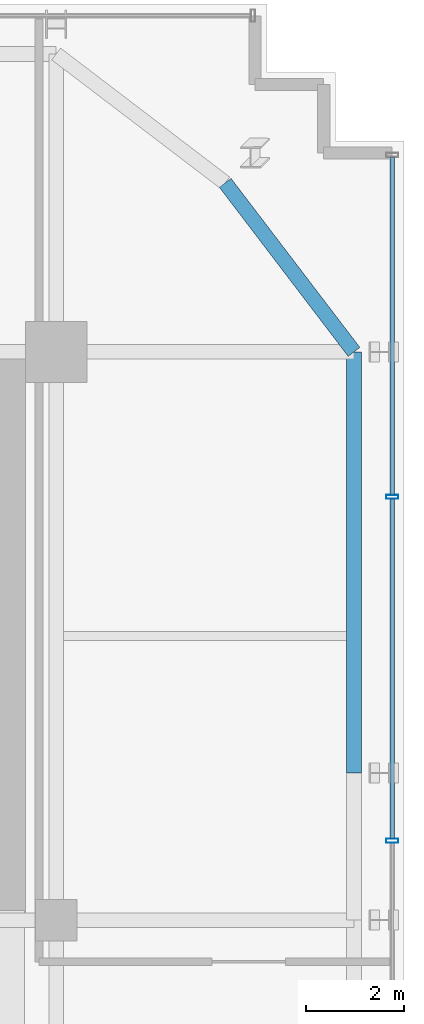
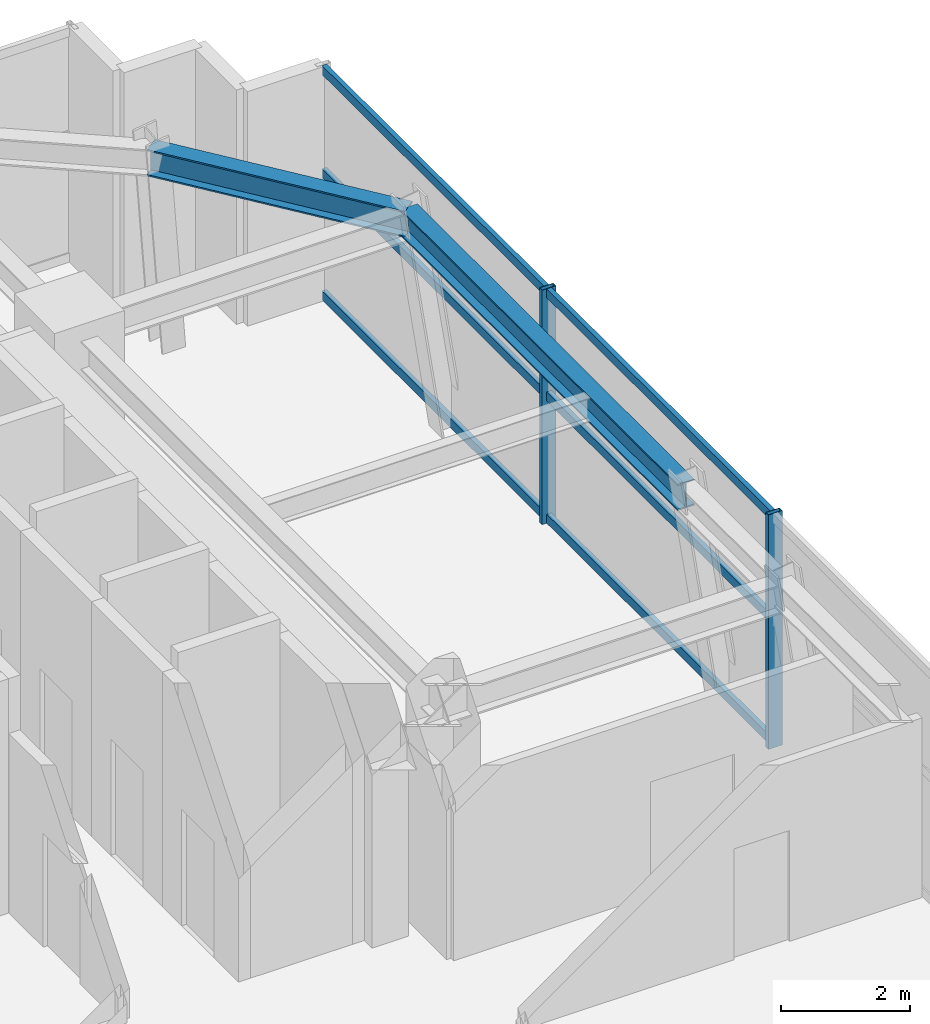
# One storey, part 17 of 26: 8 members, 2 beams, 1 element without a shape of its own.
"""IFC4 building model written with IfcOpenShell, lengths in metres."""

from ifc_helpers import new_model, si_unit, direction, frame, origin, origin_2d, place, context, subcontext, project, spatial, hollow_rectangle, i_section, extrude, source, transform, mapped, material, material_profile, profile_set, type_object, element, aggregate, save


model = new_model("IFC4")

# Units and contexts
model_context = context("Model", 3, precision=1e-05, world=origin(), true_north=direction((0.0, 1.0)))
body_context = subcontext(model_context, "Body", "Model", "MODEL_VIEW")
ifc_project = project(units=[si_unit("LENGTHUNIT", "METRE"), si_unit("AREAUNIT", "SQUARE_METRE"), si_unit("VOLUMEUNIT", "CUBIC_METRE"), si_unit("PLANEANGLEUNIT", "RADIAN"), si_unit("MASSUNIT", "GRAM", prefix="KILO")], contexts=[model_context])

# Site, building, storey
site_placement = place(None, origin())
site = spatial("IfcSite", under=ifc_project, at=site_placement, CompositionType="ELEMENT")
building_placement = place(site_placement, origin())
building = spatial("IfcBuilding", under=site, at=building_placement, Name="Nahalor Promenade Grand Hotel", CompositionType="ELEMENT")
storey_placement = place(building_placement, frame((0.0, 0.0, 139.39990234375)))
storey = spatial("IfcBuildingStorey", under=building, at=storey_placement, Name="L35", CompositionType="ELEMENT", Elevation=139.39990234375)

# Beams
ifc_material_1 = material(Name="Steel S355JR", Category="steel")
ifc_material_profile_1 = material_profile(ifc_material_1, i_section(OverallWidth=0.3, OverallDepth=0.5, WebThickness=0.0145, FlangeThickness=0.028, at=origin_2d()), Name="HEB 500")
ifc_profile_set_1 = profile_set([ifc_material_profile_1], Name="Steel S355JR")
beam_type = type_object("IfcBeamType", Name="Beam-Spandrel-HEB500", PredefinedType="SPANDREL", material=ifc_profile_set_1)
shared_shape_1 = source(origin(), body_context, "Body", "SweptSolid", [
    extrude(i_section(OverallWidth=0.3, OverallDepth=0.5, WebThickness=0.0145, FlangeThickness=0.028, at=origin_2d()), origin(), (0.0, 0.0, 1.0), 8.60009765625),
])
beam_1_placement = place(storey_placement, frame((23.080078125, 8.39990234375, 4.190185546875), z_axis=(0.0, 1.0, 0.0), x_axis=(-1.0, 0.0, 0.0)))
element("IfcBeam", 1, at=beam_1_placement, inside=storey, type_object=beam_type, Name="BM-L35-SP-E-4", PredefinedType="SPANDREL", context=body_context, shape_type="MappedRepresentation", body=[
    mapped(shared_shape_1, transform((0.0, 0.0, 0.0), scale=1.0)),
])
shared_shape_2 = source(origin(), body_context, "Body", "SweptSolid", [
    extrude(i_section(OverallWidth=0.3, OverallDepth=0.5, WebThickness=0.0145, FlangeThickness=0.028, at=origin_2d()), origin(), (0.0, 0.0, 1.0), 4.338134765625),
])
beam_2_placement = place(storey_placement, frame((20.449951171875, 20.449951171875, 4.190185546875), z_axis=(0.606275484724, -0.795254699214, 0.0), x_axis=(0.795254699214, 0.606275484724, 0.0)))
element("IfcBeam", 2, at=beam_2_placement, inside=storey, type_object=beam_type, Name="BM-L35-SPC-NE-2", PredefinedType="SPANDREL", context=body_context, shape_type="MappedRepresentation", body=[
    mapped(shared_shape_2, transform((0.0, 0.0, 0.0), scale=1.0)),
])

# Curtain wall, members
ifc_material_2 = material(Name="Anodised Bronze Aluminium EN AW-6063 T6", Category="aluminium")
curtain_wall_type = type_object("IfcCurtainWallType", Name="CW5 Sky-Lobby & Observation Panoramic Curtain Wall", PredefinedType="USERDEFINED", material=ifc_material_2)
curtain_wall_placement = place(storey_placement, origin())
curtain_wall = element("IfcCurtainWall", 3, at=curtain_wall_placement, inside=storey, type_object=curtain_wall_type, Name="L35 Curtain Wall CW-L35-E-1", ObjectType="UNITISED_CURTAIN_WALL", PredefinedType="USERDEFINED")
ifc_material_profile_2 = material_profile(ifc_material_2, hollow_rectangle(XDim=0.085, YDim=0.25, WallThickness=0.006, at=origin_2d()), Name="CWM 85x250x6")
ifc_profile_set_2 = profile_set([ifc_material_profile_2], Name="Anodised Bronze Aluminium EN AW-6063 T6")
member_type_1 = type_object("IfcMemberType", Name="CWM5 Panoramic Deep Mullion 85x250", PredefinedType="MULLION", material=ifc_profile_set_2)
shared_shape_3 = source(origin(), body_context, "Body", "SweptSolid", [
    extrude(hollow_rectangle(XDim=0.085, YDim=0.25, WallThickness=0.006, at=origin_2d()), origin(), (0.0, 0.0, 1.0), 4.440185546875),
])
member_1_placement = place(storey_placement, frame((23.860107421875, 7.02001953125, 0.0), z_axis=(0.0, 0.0, 1.0), x_axis=(0.0, 1.0, 0.0)))
member_1 = element("IfcMember", 4, at=member_1_placement, type_object=member_type_1, Name="CW-L35-E-1 Mullion 4", PredefinedType="MULLION", context=body_context, shape_type="MappedRepresentation", body=[
    mapped(shared_shape_3, transform((0.0, 0.0, 0.0), scale=1.0)),
])
member_2_placement = place(storey_placement, frame((23.860107421875, 14.0400390625, 0.0), z_axis=(0.0, 0.0, 1.0), x_axis=(0.0, 1.0, 0.0)))
member_2 = element("IfcMember", 5, at=member_2_placement, type_object=member_type_1, Name="CW-L35-E-1 Mullion 5", PredefinedType="MULLION", context=body_context, shape_type="MappedRepresentation", body=[
    mapped(shared_shape_3, transform((0.0, 0.0, 0.0), scale=1.0)),
])
ifc_material_profile_3 = material_profile(ifc_material_2, hollow_rectangle(XDim=0.085, YDim=0.17, WallThickness=0.005, at=origin_2d()), Name="CWT 85x170x5")
ifc_profile_set_3 = profile_set([ifc_material_profile_3], Name="Anodised Bronze Aluminium EN AW-6063 T6")
member_type_2 = type_object("IfcMemberType", Name="CWT5 Panoramic Transom 85x170", PredefinedType="USERDEFINED", material=ifc_profile_set_3)
shared_shape_4 = source(origin(), body_context, "Body", "SweptSolid", [
    extrude(hollow_rectangle(XDim=0.085, YDim=0.17, WallThickness=0.005, at=origin_2d()), origin(), (0.0, 0.0, 1.0), 6.892578125),
])
member_3_placement = place(storey_placement, frame((23.860107421875, 14.08251953125, 0.085205078125), z_axis=(0.0, 1.0, 0.0), x_axis=(-1.0, 0.0, 0.0)))
member_3 = element("IfcMember", 6, at=member_3_placement, type_object=member_type_2, Name="CW-L35-E-1 Transom 5-0", ObjectType="TRANSOM", PredefinedType="USERDEFINED", context=body_context, shape_type="MappedRepresentation", body=[
    mapped(shared_shape_4, transform((0.0, 0.0, 0.0), scale=1.0)),
])
member_4_placement = place(storey_placement, frame((23.860107421875, 14.08251953125, 2.400146484375), z_axis=(0.0, 1.0, 0.0), x_axis=(-1.0, 0.0, 0.0)))
member_4 = element("IfcMember", 7, at=member_4_placement, type_object=member_type_2, Name="CW-L35-E-1 Transom 5-1", ObjectType="TRANSOM", PredefinedType="USERDEFINED", context=body_context, shape_type="MappedRepresentation", body=[
    mapped(shared_shape_4, transform((0.0, 0.0, 0.0), scale=1.0)),
])
member_5_placement = place(storey_placement, frame((23.860107421875, 14.08251953125, 4.35498046875), z_axis=(0.0, 1.0, 0.0), x_axis=(-1.0, 0.0, 0.0)))
member_5 = element("IfcMember", 8, at=member_5_placement, type_object=member_type_2, Name="CW-L35-E-1 Transom 5-2", ObjectType="TRANSOM", PredefinedType="USERDEFINED", context=body_context, shape_type="MappedRepresentation", body=[
    mapped(shared_shape_4, transform((0.0, 0.0, 0.0), scale=1.0)),
])
shared_shape_5 = source(origin(), body_context, "Body", "SweptSolid", [
    extrude(hollow_rectangle(XDim=0.085, YDim=0.17, WallThickness=0.005, at=origin_2d()), origin(), (0.0, 0.0, 1.0), 6.93505859375),
])
member_6_placement = place(storey_placement, frame((23.860107421875, 7.0625, 0.085205078125), z_axis=(0.0, 1.0, 0.0), x_axis=(-1.0, 0.0, 0.0)))
member_6 = element("IfcMember", 9, at=member_6_placement, type_object=member_type_2, Name="CW-L35-E-1 Transom 4-0", ObjectType="TRANSOM", PredefinedType="USERDEFINED", context=body_context, shape_type="MappedRepresentation", body=[
    mapped(shared_shape_5, transform((0.0, 0.0, 0.0), scale=1.0)),
])
member_7_placement = place(storey_placement, frame((23.860107421875, 7.0625, 2.400146484375), z_axis=(0.0, 1.0, 0.0), x_axis=(-1.0, 0.0, 0.0)))
member_7 = element("IfcMember", 10, at=member_7_placement, type_object=member_type_2, Name="CW-L35-E-1 Transom 4-1", ObjectType="TRANSOM", PredefinedType="USERDEFINED", context=body_context, shape_type="MappedRepresentation", body=[
    mapped(shared_shape_5, transform((0.0, 0.0, 0.0), scale=1.0)),
])
member_8_placement = place(storey_placement, frame((23.860107421875, 7.0625, 4.35498046875), z_axis=(0.0, 1.0, 0.0), x_axis=(-1.0, 0.0, 0.0)))
member_8 = element("IfcMember", 11, at=member_8_placement, type_object=member_type_2, Name="CW-L35-E-1 Transom 4-2", ObjectType="TRANSOM", PredefinedType="USERDEFINED", context=body_context, shape_type="MappedRepresentation", body=[
    mapped(shared_shape_5, transform((0.0, 0.0, 0.0), scale=1.0)),
])
aggregate(curtain_wall, [member_1, member_2, member_6, member_7, member_8, member_3, member_4, member_5])

save(model, "model.ifc")
